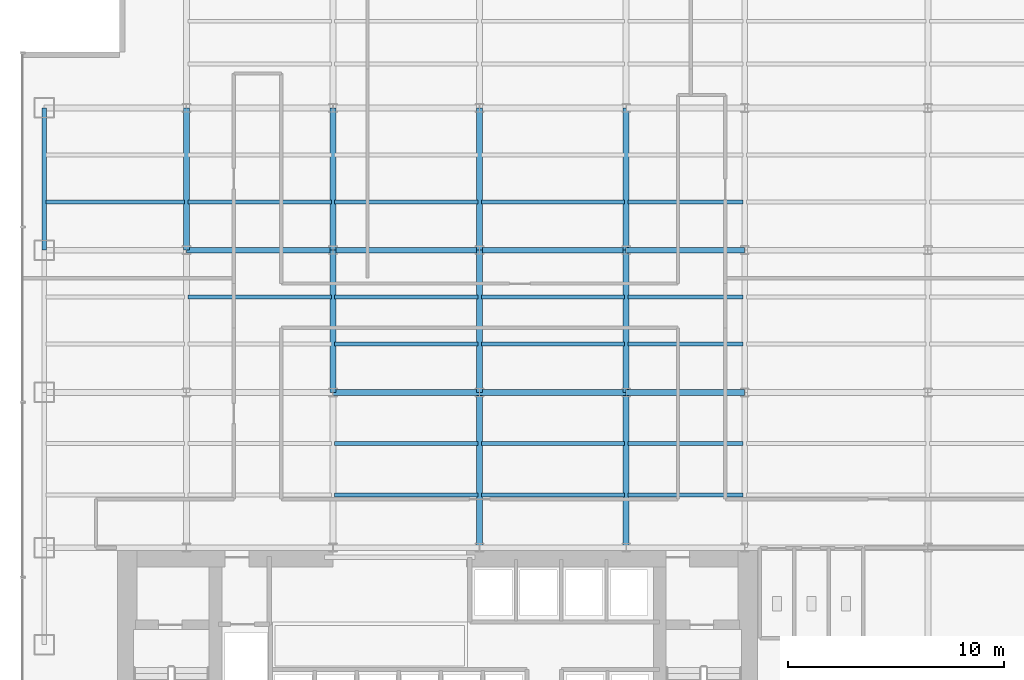
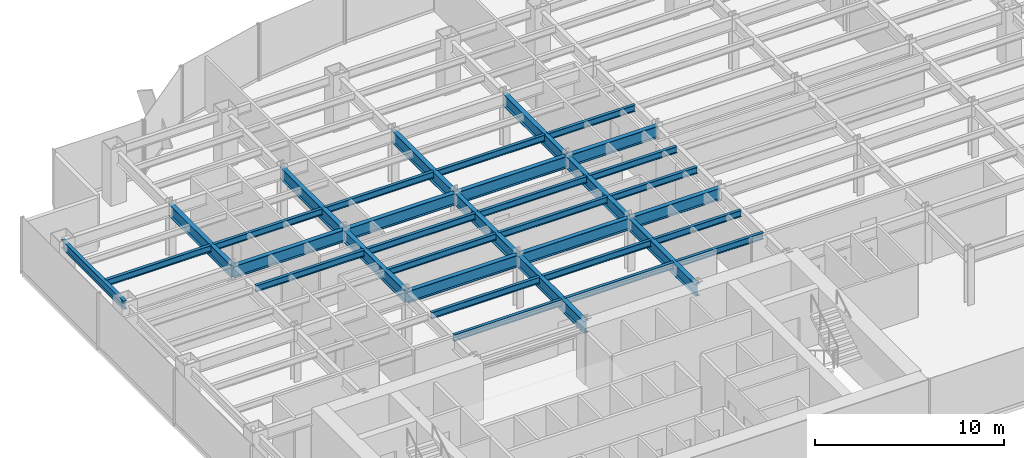
# One storey, part 5 of 23: 35 beams.
"""IFC4 building model written with IfcOpenShell, lengths in metres."""

import ifcopenshell
import ifcopenshell.guid

model = None  # the IFC model being written
_history = None  # IfcOwnerHistory: only IFC2X3 demands one
_inside = {}  # id of a spatial element -> (the spatial element, [elements in it])
_under = {}  # id of a project, library or spatial element -> (it, [spatial elements below it])
_declared = {}  # id of a project -> (the project, [libraries it declares])
_typed = {}  # id of a type object -> (the type object, [elements of that type])
_made_of = {}  # id of a material, layer set ... -> (it, [elements and type objects made of it])


def new_model(schema):
    """Start an empty IFC model of exactly this schema.

    Asked for "IFC4X3", IfcOpenShell would pick the latest addendum, in which some entities
    have other attributes; the version numbers below select the first issue.
    IFC2X3 requires an IfcOwnerHistory on every rooted entity: one is made here for all.
    """
    global model, _history
    if schema == "IFC4X3":
        model = ifcopenshell.file(schema_version=(4, 3, 0, 0))
    else:
        model = ifcopenshell.file(schema=schema)
    _inside.clear()
    _under.clear()
    _declared.clear()
    _typed.clear()
    _made_of.clear()
    _history = None
    if model.schema == "IFC2X3":
        org = make("IfcOrganization", Name="unknown")
        user = make(
            "IfcPersonAndOrganization",
            ThePerson=make("IfcPerson", FamilyName="unknown"),
            TheOrganization=org,
        )
        app = make(
            "IfcApplication",
            ApplicationDeveloper=org,
            Version="unknown",
            ApplicationFullName="unknown",
            ApplicationIdentifier="unknown",
        )
        _history = make(
            "IfcOwnerHistory",
            OwningUser=user,
            OwningApplication=app,
            ChangeAction="ADDED",
            CreationDate=0,
        )
    return model


def make(cls, **values):
    """One entity of the class cls with the attributes given. An attribute that is None is left unset."""
    return model.create_entity(
        cls, **{name: value for name, value in values.items() if value is not None}
    )


def rooted(cls, **values):
    """An entity with a GlobalId (a new one), such as an element, a storey or a relation."""
    return make(cls, GlobalId=ifcopenshell.guid.new(), OwnerHistory=_history, **values)


def si_unit(unit_type, name, prefix=None):
    """IfcSIUnit, for example si_unit("LENGTHUNIT", "METRE", prefix="MILLI")."""
    return make("IfcSIUnit", UnitType=unit_type, Prefix=prefix, Name=name)


def derived_unit(unit_type, elements):
    """IfcDerivedUnit: a product of units, each with its exponent."""
    return make(
        "IfcDerivedUnit",
        Elements=[
            make("IfcDerivedUnitElement", Unit=unit, Exponent=power)
            for unit, power in elements
        ],
        UnitType=unit_type,
    )


def assignment(units):
    """IfcUnitAssignment: the units of a project."""
    return None if units is None else make("IfcUnitAssignment", Units=units)


def point(xyz):
    """IfcCartesianPoint."""
    return None if xyz is None else make("IfcCartesianPoint", Coordinates=xyz)


def direction(xyz):
    """IfcDirection."""
    return None if xyz is None else make("IfcDirection", DirectionRatios=xyz)


def frame(location, z_axis=None, x_axis=None):
    """IfcAxis2Placement3D, a coordinate frame: its origin and axes. An axis left out is left unset."""
    return make(
        "IfcAxis2Placement3D",
        Location=point(location),
        Axis=direction(z_axis),
        RefDirection=direction(x_axis),
    )


def frame_2d(location, x_axis=None):
    """IfcAxis2Placement2D, a coordinate frame in the plane: its origin and x axis."""
    return make(
        "IfcAxis2Placement2D", Location=point(location), RefDirection=direction(x_axis)
    )


def origin():
    """The frame at (0, 0, 0) with its axes left unset."""
    return frame((0.0, 0.0, 0.0))


def origin_2d():
    """The frame at (0, 0) in the plane with its x axis left unset."""
    return frame_2d((0.0, 0.0))


def place(relative_to, where):
    """IfcLocalPlacement: puts the frame where relative to a parent placement (None: the world)."""
    return make(
        "IfcLocalPlacement", PlacementRelTo=relative_to, RelativePlacement=where
    )


def context(
    kind, dimensions, precision=None, world=None, true_north=None, identifier=None
):
    """IfcGeometricRepresentationContext, for example the 3D "Model" context."""
    return make(
        "IfcGeometricRepresentationContext",
        ContextIdentifier=identifier,
        ContextType=kind,
        CoordinateSpaceDimension=dimensions,
        Precision=precision,
        WorldCoordinateSystem=world,
        TrueNorth=true_north,
    )


def subcontext(parent, identifier, kind, view, scale=None):
    """IfcGeometricRepresentationSubContext, for example "Body" below "Model"."""
    return make(
        "IfcGeometricRepresentationSubContext",
        ContextIdentifier=identifier,
        ContextType=kind,
        ParentContext=parent,
        TargetScale=scale,
        TargetView=view,
    )


def project(units=None, contexts=None):
    """IfcProject with its units and contexts."""
    return rooted(
        "IfcProject",
        Name="project",
        RepresentationContexts=contexts,
        UnitsInContext=assignment(units),
    )


def spatial(cls, under=None, at=None, **own):
    """A site, building, storey or space (cls), placed at a placement, below another one or the project."""
    s = rooted(cls, ObjectPlacement=at, **own)
    if under is not None:
        _under.setdefault(under.id(), (under, []))[1].append(s)
    return s


def profile(cls, at=None, kind="AREA", **sizes):
    """A parametric profile (cls). Its sizes go by their IFC names, for example OverallWidth=200.0."""
    return make(cls, ProfileType=kind, Position=at, **sizes)


def i_section(**sizes):
    """IfcIShapeProfileDef."""
    return profile("IfcIShapeProfileDef", **sizes)


def extrude(swept, where, along, depth):
    """IfcExtrudedAreaSolid: the profile swept, set in the frame where, extruded along a direction by depth."""
    return make(
        "IfcExtrudedAreaSolid",
        SweptArea=swept,
        Position=where,
        ExtrudedDirection=direction(along),
        Depth=depth,
    )


def shape(context_of_items, identifier, shape_type, items):
    """IfcShapeRepresentation: the items that make up one representation, for example the "Body"."""
    return make(
        "IfcShapeRepresentation",
        ContextOfItems=context_of_items,
        RepresentationIdentifier=identifier,
        RepresentationType=shape_type,
        Items=items,
    )


def source(mapping_origin, context_of_items, identifier, shape_type, items):
    """IfcRepresentationMap: a shape defined once, which mapped items show again and again."""
    return make(
        "IfcRepresentationMap",
        MappingOrigin=mapping_origin,
        MappedRepresentation=shape(context_of_items, identifier, shape_type, items),
    )


def transform(
    local_origin,
    x_axis=None,
    y_axis=None,
    z_axis=None,
    scale=None,
    scale2=None,
    scale3=None,
    uniform=True,
):
    """IfcCartesianTransformationOperator3D, or its non-uniform kind. x_axis, y_axis, z_axis: its Axis1, 2, 3."""
    if uniform:
        return make(
            "IfcCartesianTransformationOperator3D",
            Axis1=direction(x_axis),
            Axis2=direction(y_axis),
            LocalOrigin=point(local_origin),
            Scale=scale,
            Axis3=direction(z_axis),
        )
    return make(
        "IfcCartesianTransformationOperator3DnonUniform",
        Axis1=direction(x_axis),
        Axis2=direction(y_axis),
        LocalOrigin=point(local_origin),
        Scale=scale,
        Axis3=direction(z_axis),
        Scale2=scale2,
        Scale3=scale3,
    )


def mapped(mapping_source, mapping_target):
    """IfcMappedItem: shows the shape of a source again, moved by a transform."""
    return make(
        "IfcMappedItem", MappingSource=mapping_source, MappingTarget=mapping_target
    )


def material(Name=None, Category=None):
    """IfcMaterial."""
    return make("IfcMaterial", Name=Name, Category=Category)


def material_profile(
    of_material, cross_section, Name=None, Category=None, Priority=None
):
    """IfcMaterialProfile: a cross section and its material."""
    return make(
        "IfcMaterialProfile",
        Name=Name,
        Material=of_material,
        Profile=cross_section,
        Priority=Priority,
        Category=Category,
    )


def profile_set(profiles, Name=None, composite=None):
    """IfcMaterialProfileSet."""
    return make(
        "IfcMaterialProfileSet",
        Name=Name,
        MaterialProfiles=profiles,
        CompositeProfile=composite,
    )


def made_of(thing, what):
    """Note that an element or type object is made of a material, layer set ...; save() writes the relation."""
    if what is not None:
        _made_of.setdefault(what.id(), (what, []))[1].append(thing)
    return thing


def type_object(cls, material=None, **own):
    """A type object (cls), such as IfcWallType, which elements share."""
    return made_of(rooted(cls, **own), material)


def element(
    cls,
    number,
    at=None,
    inside=None,
    cuts=None,
    type_object=None,
    material=None,
    context=None,
    identifier="Body",
    shape_type=None,
    held_by="IfcProductDefinitionShape",
    body=None,
    shapes=None,
    **own,
):
    """One element of the class cls, such as IfcWall. Its Tag is "e" and its number.

    at: its placement. inside: the storey or other place that contains it. cuts: it is an
    opening in that element (IfcRelVoidsElement). A single representation is given by context,
    identifier, shape_type and body (its items); several are given by shapes. held_by: the class
    of the entity that holds the representations. save() writes the other relations.
    """
    e = rooted(cls, Tag="e%d" % number, ObjectPlacement=at, **own)
    if body is not None:
        shapes = [shape(context, identifier, shape_type, body)]
    if shapes is not None:
        e.Representation = make(held_by, Representations=shapes)
    if inside is not None:
        _inside.setdefault(inside.id(), (inside, []))[1].append(e)
    if cuts is not None:
        rooted(
            "IfcRelVoidsElement", RelatingBuildingElement=cuts, RelatedOpeningElement=e
        )
    if type_object is not None:
        _typed.setdefault(type_object.id(), (type_object, []))[1].append(e)
    return made_of(e, material)


def aggregate(whole, parts):
    """IfcRelAggregates: a whole, such as a stair, and the parts it consists of."""
    return rooted("IfcRelAggregates", RelatingObject=whole, RelatedObjects=parts)


def save(model, path):
    """Write the relations noted so far, then the file.

    IfcRelAggregates (storeys below a building ...), IfcRelContainedInSpatialStructure (elements
    in a storey), IfcRelDefinesByType, IfcRelAssociatesMaterial and IfcRelDeclares: one each for
    every whole, place, type object, material and project.
    """
    for whole, parts in _under.values():
        aggregate(whole, parts)
    for where, things in _inside.values():
        rooted(
            "IfcRelContainedInSpatialStructure",
            RelatedElements=things,
            RelatingStructure=where,
        )
    for kind, things in _typed.values():
        rooted("IfcRelDefinesByType", RelatedObjects=things, RelatingType=kind)
    for what, things in _made_of.values():
        rooted("IfcRelAssociatesMaterial", RelatedObjects=things, RelatingMaterial=what)
    for by, libraries in _declared.values():
        rooted("IfcRelDeclares", RelatingContext=by, RelatedDefinitions=libraries)
    model.write(path)


model = new_model("IFC4")

# Units and contexts
model_context = context("Model", 3, precision=1e-05, world=origin(), true_north=direction((0.0, 1.0)))
body_context = subcontext(model_context, "Body", "Model", "MODEL_VIEW")
ifc_project = project(units=[si_unit("LENGTHUNIT", "METRE"), si_unit("AREAUNIT", "SQUARE_METRE"), si_unit("VOLUMEUNIT", "CUBIC_METRE"), si_unit("PLANEANGLEUNIT", "RADIAN"), si_unit("MASSUNIT", "GRAM", prefix="KILO"), derived_unit("THERMALTRANSMITTANCEUNIT", [(si_unit("POWERUNIT", "WATT"), 1), (si_unit("LENGTHUNIT", "METRE"), -2), (si_unit("THERMODYNAMICTEMPERATUREUNIT", "KELVIN"), -1)])], contexts=[model_context])

# Site, building, storey
site_placement = place(None, origin())
site = spatial("IfcSite", under=ifc_project, at=site_placement, CompositionType="ELEMENT")
building_placement = place(site_placement, origin())
building = spatial("IfcBuilding", under=site, at=building_placement, Name="Skarnbrae Concourse Arena and Tower", CompositionType="ELEMENT")
storey_placement = place(building_placement, frame((0.0, 0.0, 43.449951171875)))
storey = spatial("IfcBuildingStorey", under=building, at=storey_placement, Name="L09", CompositionType="ELEMENT", Elevation=43.449951171875)

# Beams
ifc_material = material(Name="Steel CSA G40.21 350W", Category="steel")
ifc_material_profile_1 = material_profile(ifc_material, i_section(OverallWidth=0.26806640625, OverallDepth=0.77001953125, WebThickness=0.015625, FlangeThickness=0.025390625, at=origin_2d()), Name="W760X196")
ifc_profile_set_1 = profile_set([ifc_material_profile_1], Name="Steel CSA G40.21 350W")
beam_type_1 = type_object("IfcBeamType", Name="BM-GIRD-W760X196", PredefinedType="BEAM", material=ifc_profile_set_1)
shared_shape_1 = source(origin(), body_context, "Body", "SweptSolid", [
    extrude(i_section(OverallWidth=0.26806640625, OverallDepth=0.77001953125, WebThickness=0.015625, FlangeThickness=0.025390625, at=origin_2d()), origin(), (0.0, 0.0, 1.0), 6.60009765625),
])
for number, where, z_axis, x_axis, name in (
    (1, (14.39990234375, 21.199951171875, 3.01513671875), (0.0, 1.0, 0.0), (-1.0, 0.0, 0.0), "L09 Primary N-S girder X14.4-2"),
    (2, (21.199951171875, 21.199951171875, 3.01513671875), (0.0, 1.0, 0.0), (-1.0, 0.0, 0.0), "L09 Primary N-S girder X21.2-2"),
    (3, (28.0, 21.199951171875, 3.01513671875), (0.0, 1.0, 0.0), (-1.0, 0.0, 0.0), "L09 Primary N-S girder X28.0-2"),
):
    element("IfcBeam", number, at=place(storey_placement, frame(where, z_axis=z_axis, x_axis=x_axis)), inside=storey, type_object=beam_type_1, Name=name, PredefinedType="BEAM", context=body_context, shape_type="MappedRepresentation", body=[
        mapped(shared_shape_1, transform((0.0, 0.0, 0.0))),
    ])
shared_shape_2 = source(origin(), body_context, "Body", "SweptSolid", [
    extrude(i_section(OverallWidth=0.26806640625, OverallDepth=0.77001953125, WebThickness=0.015625, FlangeThickness=0.025390625, at=origin_2d()), origin(), (0.0, 0.0, 1.0), 6.7998046875),
])
beam_1_placement = place(storey_placement, frame((7.60009765625, 27.800048828125, 3.01513671875), z_axis=(1.0, 0.0, 0.0), x_axis=(0.0, 1.0, 0.0)))
element("IfcBeam", 4, at=beam_1_placement, inside=storey, type_object=beam_type_1, Name="L09 Primary E-W girder Y27.8-2", PredefinedType="BEAM", context=body_context, shape_type="MappedRepresentation", body=[
    mapped(shared_shape_2, transform((0.0, 0.0, 0.0))),
])
shared_shape_3 = source(origin(), body_context, "Body", "SweptSolid", [
    extrude(i_section(OverallWidth=0.26806640625, OverallDepth=0.77001953125, WebThickness=0.015625, FlangeThickness=0.025390625, at=origin_2d()), origin(), (0.0, 0.0, 1.0), 6.800048828125),
])
for number, where, z_axis, x_axis, name in (
    (5, (14.39990234375, 21.199951171875, 3.01513671875), (1.0, 0.0, 0.0), (0.0, 1.0, 0.0), "L09 Primary E-W girder Y21.2-3"),
    (6, (21.199951171875, 21.199951171875, 3.01513671875), (1.0, 0.0, 0.0), (0.0, 1.0, 0.0), "L09 Primary E-W girder Y21.2-4"),
    (7, (14.39990234375, 27.800048828125, 3.01513671875), (1.0, 0.0, 0.0), (0.0, 1.0, 0.0), "L09 Primary E-W girder Y27.8-3"),
    (8, (21.199951171875, 27.800048828125, 3.01513671875), (1.0, 0.0, 0.0), (0.0, 1.0, 0.0), "L09 Primary E-W girder Y27.8-4"),
):
    element("IfcBeam", number, at=place(storey_placement, frame(where, z_axis=z_axis, x_axis=x_axis)), inside=storey, type_object=beam_type_1, Name=name, PredefinedType="BEAM", context=body_context, shape_type="MappedRepresentation", body=[
        mapped(shared_shape_3, transform((0.0, 0.0, 0.0))),
    ])
shared_shape_4 = source(origin(), body_context, "Body", "SweptSolid", [
    extrude(i_section(OverallWidth=0.26806640625, OverallDepth=0.77001953125, WebThickness=0.015625, FlangeThickness=0.025390625, at=origin_2d()), origin(), (0.0, 0.0, 1.0), 5.5),
])
for number, where, z_axis, x_axis, name in (
    (9, (28.0, 21.199951171875, 3.01513671875), (1.0, 0.0, 0.0), (0.0, 1.0, 0.0), "L09 Primary E-W girder Y21.2-5"),
    (10, (28.0, 27.800048828125, 3.01513671875), (1.0, 0.0, 0.0), (0.0, 1.0, 0.0), "L09 Primary E-W girder Y27.8-5"),
):
    element("IfcBeam", number, at=place(storey_placement, frame(where, z_axis=z_axis, x_axis=x_axis)), inside=storey, type_object=beam_type_1, Name=name, PredefinedType="BEAM", context=body_context, shape_type="MappedRepresentation", body=[
        mapped(shared_shape_4, transform((0.0, 0.0, 0.0))),
    ])
ifc_material_profile_2 = material_profile(ifc_material, i_section(OverallWidth=0.214111328125, OverallDepth=0.549072265625, WebThickness=0.0146484375, FlangeThickness=0.023681640625, at=origin_2d()), Name="W530X138")
ifc_profile_set_2 = profile_set([ifc_material_profile_2], Name="Steel CSA G40.21 350W")
beam_type_2 = type_object("IfcBeamType", Name="BM-SPAN-W530X138", PredefinedType="SPANDREL", material=ifc_profile_set_2)
shared_shape_5 = source(origin(), body_context, "Body", "SweptSolid", [
    extrude(i_section(OverallWidth=0.214111328125, OverallDepth=0.549072265625, WebThickness=0.0146484375, FlangeThickness=0.023681640625, at=origin_2d()), origin(), (0.0, 0.0, 1.0), 6.599853515625),
])
beam_2_placement = place(storey_placement, frame((1.0, 27.800048828125, 3.12548828125), z_axis=(0.0, 1.0, 0.0), x_axis=(-1.0, 0.0, 0.0)))
element("IfcBeam", 11, at=beam_2_placement, inside=storey, type_object=beam_type_2, Name="L09 Perimeter spandrel X1.0-4", PredefinedType="SPANDREL", context=body_context, shape_type="MappedRepresentation", body=[
    mapped(shared_shape_5, transform((0.0, 0.0, 0.0))),
])
shared_shape_6 = source(origin(), body_context, "Body", "SweptSolid", [
    extrude(i_section(OverallWidth=0.26806640625, OverallDepth=0.77001953125, WebThickness=0.015625, FlangeThickness=0.025390625, at=origin_2d()), origin(), (0.0, 0.0, 1.0), 7.199951171875),
])
for number, where, z_axis, x_axis, name in (
    (12, (21.199951171875, 14.0, 3.01513671875), (0.0, 1.0, 0.0), (-1.0, 0.0, 0.0), "L09 Primary N-S girder X21.2-1"),
    (13, (28.0, 14.0, 3.01513671875), (0.0, 1.0, 0.0), (-1.0, 0.0, 0.0), "L09 Primary N-S girder X28.0-1"),
):
    element("IfcBeam", number, at=place(storey_placement, frame(where, z_axis=z_axis, x_axis=x_axis)), inside=storey, type_object=beam_type_1, Name=name, PredefinedType="BEAM", context=body_context, shape_type="MappedRepresentation", body=[
        mapped(shared_shape_6, transform((0.0, 0.0, 0.0))),
    ])
shared_shape_7 = source(origin(), body_context, "Body", "SweptSolid", [
    extrude(i_section(OverallWidth=0.26806640625, OverallDepth=0.77001953125, WebThickness=0.015625, FlangeThickness=0.025390625, at=origin_2d()), origin(), (0.0, 0.0, 1.0), 6.599853515625),
])
for number, where, z_axis, x_axis, name in (
    (14, (7.60009765625, 27.800048828125, 3.01513671875), (0.0, 1.0, 0.0), (-1.0, 0.0, 0.0), "L09 Primary N-S girder X7.6-3"),
    (15, (14.39990234375, 27.800048828125, 3.01513671875), (0.0, 1.0, 0.0), (-1.0, 0.0, 0.0), "L09 Primary N-S girder X14.4-3"),
    (16, (21.199951171875, 27.800048828125, 3.01513671875), (0.0, 1.0, 0.0), (-1.0, 0.0, 0.0), "L09 Primary N-S girder X21.2-3"),
    (17, (28.0, 27.800048828125, 3.01513671875), (0.0, 1.0, 0.0), (-1.0, 0.0, 0.0), "L09 Primary N-S girder X28.0-3"),
):
    element("IfcBeam", number, at=place(storey_placement, frame(where, z_axis=z_axis, x_axis=x_axis)), inside=storey, type_object=beam_type_1, Name=name, PredefinedType="BEAM", context=body_context, shape_type="MappedRepresentation", body=[
        mapped(shared_shape_7, transform((0.0, 0.0, 0.0))),
    ])
ifc_material_profile_3 = material_profile(ifc_material, i_section(OverallWidth=0.180908203125, OverallDepth=0.4169921875, WebThickness=0.010986328125, FlangeThickness=0.018310546875, at=origin_2d()), Name="W410X85")
ifc_profile_set_3 = profile_set([ifc_material_profile_3], Name="Steel CSA G40.21 350W")
beam_type_3 = type_object("IfcBeamType", Name="BM-JOIST-W410X85", PredefinedType="JOIST", material=ifc_profile_set_3)
shared_shape_8 = source(origin(), body_context, "Body", "SweptSolid", [
    extrude(i_section(OverallWidth=0.180908203125, OverallDepth=0.4169921875, WebThickness=0.010986328125, FlangeThickness=0.018310546875, at=origin_2d()), origin(), (0.0, 0.0, 1.0), 6.43994140625),
])
beam_3_placement = place(storey_placement, frame((1.080078125, 30.0439453125, 3.191650390625), z_axis=(1.0, 0.0, 0.0), x_axis=(0.0, 1.0, 0.0)))
element("IfcBeam", 18, at=beam_3_placement, inside=storey, type_object=beam_type_3, Name="L09 Secondary floor joist 3.1.1", PredefinedType="JOIST", context=body_context, shape_type="MappedRepresentation", body=[
    mapped(shared_shape_8, transform((0.0, 0.0, 0.0))),
])
shared_shape_9 = source(origin(), body_context, "Body", "SweptSolid", [
    extrude(i_section(OverallWidth=0.180908203125, OverallDepth=0.4169921875, WebThickness=0.010986328125, FlangeThickness=0.018310546875, at=origin_2d()), origin(), (0.0, 0.0, 1.0), 6.64013671875),
])
for number, where, z_axis, x_axis, name in (
    (19, (14.47998046875, 16.447998046875, 3.191650390625), (1.0, 0.0, 0.0), (0.0, 1.0, 0.0), "L09 Secondary floor joist 1.1.3"),
    (20, (14.47998046875, 18.823974609375, 3.191650390625), (1.0, 0.0, 0.0), (0.0, 1.0, 0.0), "L09 Secondary floor joist 1.2.3"),
    (21, (14.47998046875, 23.444091796875, 3.191650390625), (1.0, 0.0, 0.0), (0.0, 1.0, 0.0), "L09 Secondary floor joist 2.1.3"),
    (22, (7.679931640625, 25.6220703125, 3.191650390625), (1.0, 0.0, 0.0), (0.0, 1.0, 0.0), "L09 Secondary floor joist 2.2.2"),
    (23, (14.47998046875, 25.6220703125, 3.191650390625), (1.0, 0.0, 0.0), (0.0, 1.0, 0.0), "L09 Secondary floor joist 2.2.3"),
    (24, (7.679931640625, 30.0439453125, 3.191650390625), (1.0, 0.0, 0.0), (0.0, 1.0, 0.0), "L09 Secondary floor joist 3.1.2"),
    (25, (14.47998046875, 30.0439453125, 3.191650390625), (1.0, 0.0, 0.0), (0.0, 1.0, 0.0), "L09 Secondary floor joist 3.1.3"),
):
    element("IfcBeam", number, at=place(storey_placement, frame(where, z_axis=z_axis, x_axis=x_axis)), inside=storey, type_object=beam_type_3, Name=name, PredefinedType="JOIST", context=body_context, shape_type="MappedRepresentation", body=[
        mapped(shared_shape_9, transform((0.0, 0.0, 0.0))),
    ])
shared_shape_10 = source(origin(), body_context, "Body", "SweptSolid", [
    extrude(i_section(OverallWidth=0.180908203125, OverallDepth=0.4169921875, WebThickness=0.010986328125, FlangeThickness=0.018310546875, at=origin_2d()), origin(), (0.0, 0.0, 1.0), 6.639892578125),
])
for number, where, z_axis, x_axis, name in (
    (26, (21.280029296875, 16.447998046875, 3.191650390625), (1.0, 0.0, 0.0), (0.0, 1.0, 0.0), "L09 Secondary floor joist 1.1.4"),
    (27, (21.280029296875, 18.823974609375, 3.191650390625), (1.0, 0.0, 0.0), (0.0, 1.0, 0.0), "L09 Secondary floor joist 1.2.4"),
    (28, (21.280029296875, 23.444091796875, 3.191650390625), (1.0, 0.0, 0.0), (0.0, 1.0, 0.0), "L09 Secondary floor joist 2.1.4"),
    (29, (21.280029296875, 25.6220703125, 3.191650390625), (1.0, 0.0, 0.0), (0.0, 1.0, 0.0), "L09 Secondary floor joist 2.2.4"),
    (30, (21.280029296875, 30.0439453125, 3.191650390625), (1.0, 0.0, 0.0), (0.0, 1.0, 0.0), "L09 Secondary floor joist 3.1.4"),
):
    element("IfcBeam", number, at=place(storey_placement, frame(where, z_axis=z_axis, x_axis=x_axis)), inside=storey, type_object=beam_type_3, Name=name, PredefinedType="JOIST", context=body_context, shape_type="MappedRepresentation", body=[
        mapped(shared_shape_10, transform((0.0, 0.0, 0.0))),
    ])
shared_shape_11 = source(origin(), body_context, "Body", "SweptSolid", [
    extrude(i_section(OverallWidth=0.180908203125, OverallDepth=0.4169921875, WebThickness=0.010986328125, FlangeThickness=0.018310546875, at=origin_2d()), origin(), (0.0, 0.0, 1.0), 5.33984375),
])
for number, where, z_axis, x_axis, name in (
    (31, (28.080078125, 16.447998046875, 3.191650390625), (1.0, 0.0, 0.0), (0.0, 1.0, 0.0), "L09 Secondary floor joist 1.1.5"),
    (32, (28.080078125, 18.823974609375, 3.191650390625), (1.0, 0.0, 0.0), (0.0, 1.0, 0.0), "L09 Secondary floor joist 1.2.5"),
    (33, (28.080078125, 23.444091796875, 3.191650390625), (1.0, 0.0, 0.0), (0.0, 1.0, 0.0), "L09 Secondary floor joist 2.1.5"),
    (34, (28.080078125, 25.6220703125, 3.191650390625), (1.0, 0.0, 0.0), (0.0, 1.0, 0.0), "L09 Secondary floor joist 2.2.5"),
    (35, (28.080078125, 30.0439453125, 3.191650390625), (1.0, 0.0, 0.0), (0.0, 1.0, 0.0), "L09 Secondary floor joist 3.1.5"),
):
    element("IfcBeam", number, at=place(storey_placement, frame(where, z_axis=z_axis, x_axis=x_axis)), inside=storey, type_object=beam_type_3, Name=name, PredefinedType="JOIST", context=body_context, shape_type="MappedRepresentation", body=[
        mapped(shared_shape_11, transform((0.0, 0.0, 0.0))),
    ])

save(model, "model.ifc")
